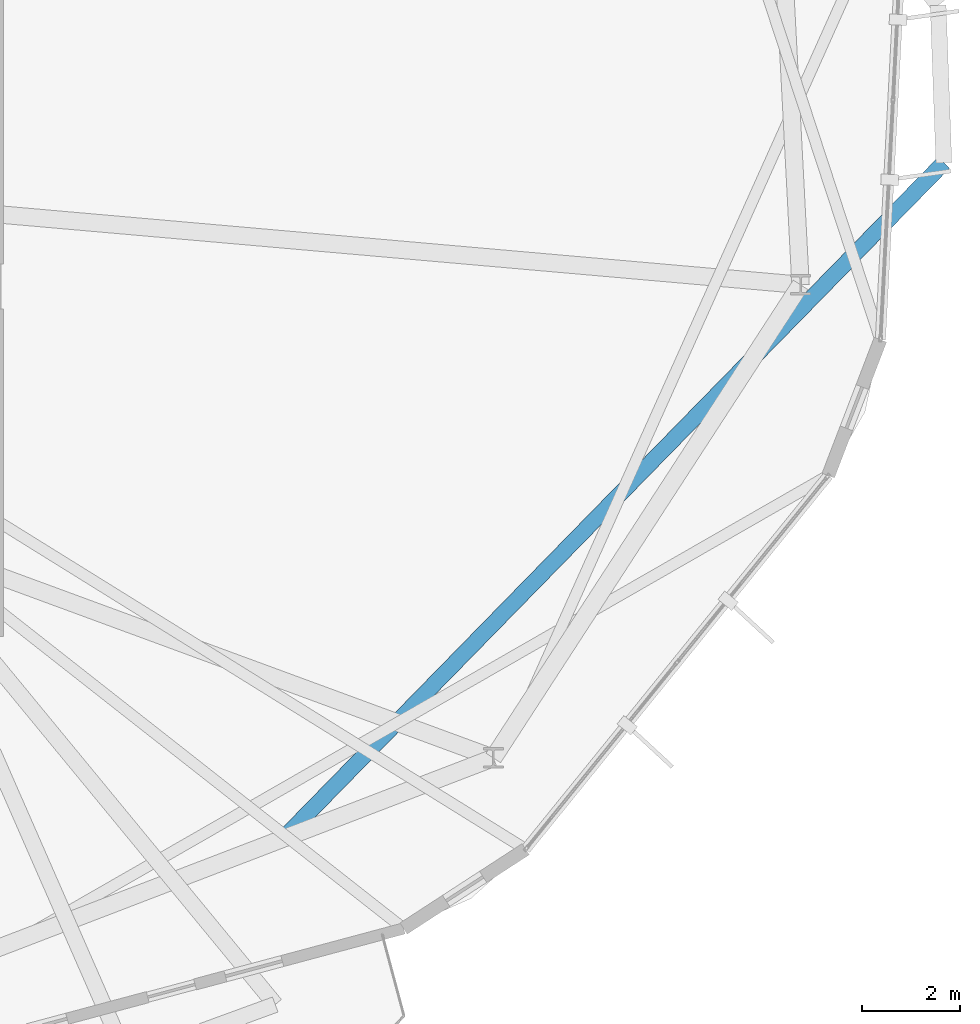
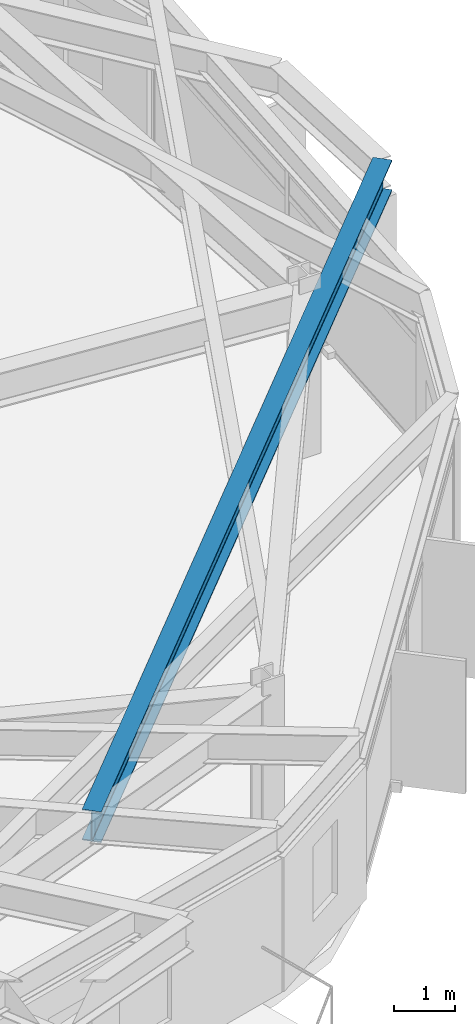
# One storey, part 11 of 29: 1 beam.
"""IFC4 building model written with IfcOpenShell, lengths in metres."""

from ifc_helpers import new_model, si_unit, direction, frame, origin, origin_2d, place, context, subcontext, project, spatial, i_section, extrude, material, material_profile, profile_set, type_object, element, save


model = new_model("IFC4")

# Units and contexts
model_context = context("Model", 3, precision=1e-05, world=origin(), true_north=direction((0.0, 1.0)))
body_context = subcontext(model_context, "Body", "Model", "MODEL_VIEW")
ifc_project = project(units=[si_unit("LENGTHUNIT", "METRE"), si_unit("AREAUNIT", "SQUARE_METRE"), si_unit("VOLUMEUNIT", "CUBIC_METRE"), si_unit("PLANEANGLEUNIT", "RADIAN"), si_unit("MASSUNIT", "GRAM", prefix="KILO")], contexts=[model_context])

# Site, building, storey
site_placement = place(None, origin())
site = spatial("IfcSite", under=ifc_project, at=site_placement, CompositionType="ELEMENT")
building_placement = place(site_placement, origin())
building = spatial("IfcBuilding", under=site, at=building_placement, Name="Soratama Intermodal Tower", CompositionType="ELEMENT")
storey_placement = place(building_placement, frame((0.0, 0.0, 219.39990234375)))
storey = spatial("IfcBuildingStorey", under=building, at=storey_placement, Name="L55", CompositionType="ELEMENT", Elevation=219.39990234375)

# Beam
ifc_material = material(Name="Structural steel ASTM A992 Grade 50", Category="steel")
ifc_material_profile = material_profile(ifc_material, i_section(OverallWidth=0.324951171875, OverallDepth=0.615966796875, WebThickness=0.013916015625, FlangeThickness=0.021484375, FilletRadius=0.013916015625, at=origin_2d()), Name="W24X117")
ifc_profile_set = profile_set([ifc_material_profile], Name="Structural steel ASTM A992 Grade 50")
beam_type = type_object("IfcBeamType", Name="BM-CANT-W24X117", PredefinedType="BEAM", material=ifc_profile_set)
beam_placement = place(storey_placement, frame((52.447021484375, 8.927978515625, 2.9921875), z_axis=(0.699048088408, 0.715074660503, 0.0), x_axis=(-0.715074660503, 0.699048088408, 0.0)))
element("IfcBeam", 1, at=beam_placement, inside=storey, type_object=beam_type, Name="BM-L55-CANT-1-1", PredefinedType="BEAM", context=body_context, shape_type="SweptSolid", body=[
    extrude(i_section(OverallWidth=0.324951171875, OverallDepth=0.615966796875, WebThickness=0.013916015625, FlangeThickness=0.021484375, FilletRadius=0.013916015625, at=origin_2d()), origin(), (0.0, 0.0, 1.0), 19.224609375),
])

save(model, "model.ifc")
